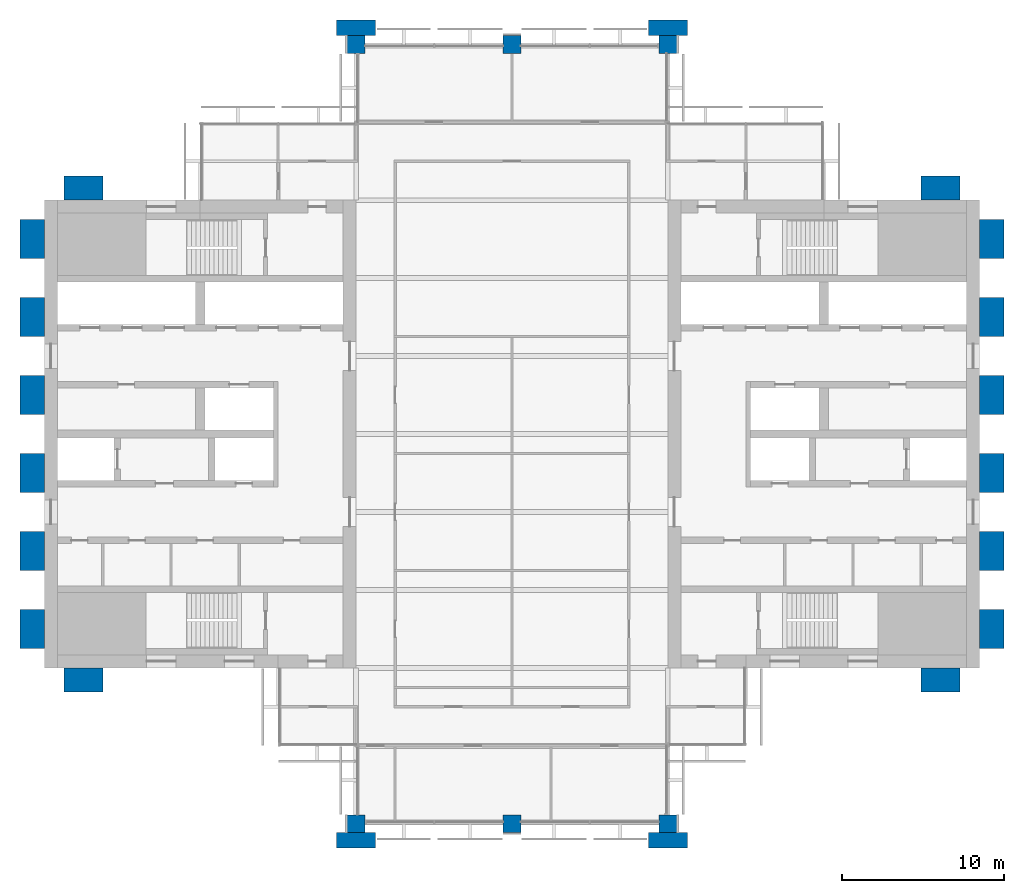
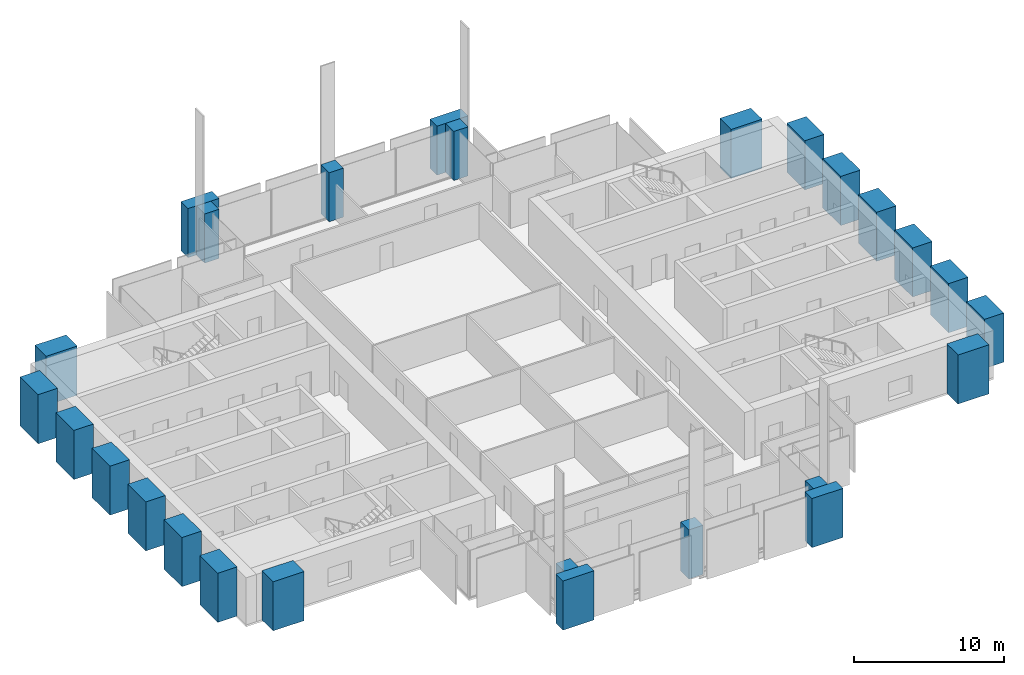
# One storey, part 1 of 13: 26 columns.
"""IFC4 building model written with IfcOpenShell, lengths in metres."""

from ifc_helpers import new_model, si_unit, direction, frame, origin, origin_2d, place, context, subcontext, project, spatial, rectangle, extrude, material, material_profile, profile_set, type_object, element, save


model = new_model("IFC4")

# Units and contexts
model_context = context("Model", 3, precision=1e-05, world=origin(), true_north=direction((0.0, 1.0)))
body_context = subcontext(model_context, "Body", "Model", "MODEL_VIEW")
ifc_project = project(units=[si_unit("LENGTHUNIT", "METRE"), si_unit("AREAUNIT", "SQUARE_METRE"), si_unit("VOLUMEUNIT", "CUBIC_METRE"), si_unit("PLANEANGLEUNIT", "RADIAN"), si_unit("MASSUNIT", "GRAM", prefix="KILO")], contexts=[model_context])

# Site, building, storey
site_placement = place(None, origin())
site = spatial("IfcSite", under=ifc_project, at=site_placement, CompositionType="ELEMENT")
building_placement = place(site_placement, origin())
building = spatial("IfcBuilding", under=site, at=building_placement, Name="Baori Bourse Tower", CompositionType="ELEMENT")
storey_placement = place(building_placement, frame((0.0, 0.0, 237.199951171875)))
storey = spatial("IfcBuildingStorey", under=building, at=storey_placement, Name="L52", CompositionType="ELEMENT", Elevation=237.199951171875)

# Columns
ifc_material_1 = material(Name="Concrete f'c 60 MPa", Category="concrete")
ifc_material_profile_1 = material_profile(ifc_material_1, rectangle(XDim=2.39990234375, YDim=0.949951171875, at=origin_2d()), Name="RC 2400x950")
ifc_profile_set_1 = profile_set([ifc_material_profile_1], Name="Concrete f'c 60 MPa")
column_type_1 = type_object("IfcColumnType", Name="FN3 Brick pilaster 2400x950", PredefinedType="PILASTER", material=ifc_profile_set_1)
for number, where, z_axis, x_axis, name in (
    (1, (19.199951171875, -1.02490234375, 0.0), (0.0, 0.0, 1.0), (1.0, 0.0, 0.0), "Brick pilaster L52 17"),
    (2, (38.39990234375, -1.02490234375, 0.0), (0.0, 0.0, 1.0), (1.0, 0.0, 0.0), "Brick pilaster L52 18"),
    (3, (19.199951171875, 49.02490234375, 0.0), (0.0, 0.0, 1.0), (1.0, 0.0, 0.0), "Brick pilaster L52 19"),
    (4, (38.39990234375, 49.02490234375, 0.0), (0.0, 0.0, 1.0), (1.0, 0.0, 0.0), "Brick pilaster L52 20"),
):
    element("IfcColumn", number, at=place(storey_placement, frame(where, z_axis=z_axis, x_axis=x_axis)), inside=storey, type_object=column_type_1, Name=name, PredefinedType="PILASTER", context=body_context, shape_type="SweptSolid", body=[
        extrude(rectangle(XDim=2.39990234375, YDim=0.949951171875, at=origin_2d()), origin(), (0.0, 0.0, 1.0), 4.0),
    ])
ifc_material_2 = material(Name="Concrete f'c 60 MPa", Category="concrete")
ifc_material_profile_2 = material_profile(ifc_material_2, rectangle(XDim=2.39990234375, YDim=1.5, at=origin_2d()), Name="RC 2400x1500")
ifc_profile_set_2 = profile_set([ifc_material_profile_2], Name="Concrete f'c 60 MPa")
column_type_2 = type_object("IfcColumnType", Name="FN4 Brick flank pilaster 2400x1500", PredefinedType="PILASTER", material=ifc_profile_set_2)
for number, where, z_axis, x_axis, name in (
    (5, (55.199951171875, 8.85009765625, 0.0), (0.0, 0.0, 1.0), (1.0, 0.0, 0.0), "Brick pilaster L52 1"),
    (6, (58.35009765625, 12.0, 0.0), (0.0, 0.0, 1.0), (0.0, 1.0, 0.0), "Brick pilaster L52 2"),
    (7, (58.35009765625, 16.800048828125, 0.0), (0.0, 0.0, 1.0), (0.0, 1.0, 0.0), "Brick pilaster L52 3"),
    (8, (58.35009765625, 21.60009765625, 0.0), (0.0, 0.0, 1.0), (0.0, 1.0, 0.0), "Brick pilaster L52 4"),
    (9, (58.35009765625, 26.39990234375, 0.0), (0.0, 0.0, 1.0), (0.0, 1.0, 0.0), "Brick pilaster L52 5"),
    (10, (58.35009765625, 31.199951171875, 0.0), (0.0, 0.0, 1.0), (0.0, 1.0, 0.0), "Brick pilaster L52 6"),
    (11, (58.35009765625, 36.0, 0.0), (0.0, 0.0, 1.0), (0.0, 1.0, 0.0), "Brick pilaster L52 7"),
    (12, (55.199951171875, 39.14990234375, 0.0), (0.0, 0.0, 1.0), (1.0, 0.0, 0.0), "Brick pilaster L52 8"),
    (13, (2.39990234375, 39.14990234375, 0.0), (0.0, 0.0, 1.0), (1.0, 0.0, 0.0), "Brick pilaster L52 9"),
    (14, (-0.75, 12.0, 0.0), (0.0, 0.0, 1.0), (0.0, 1.0, 0.0), "Brick pilaster L52 10"),
    (15, (-0.75, 16.800048828125, 0.0), (0.0, 0.0, 1.0), (0.0, 1.0, 0.0), "Brick pilaster L52 11"),
    (16, (-0.75, 21.60009765625, 0.0), (0.0, 0.0, 1.0), (0.0, 1.0, 0.0), "Brick pilaster L52 12"),
    (17, (-0.75, 26.39990234375, 0.0), (0.0, 0.0, 1.0), (0.0, 1.0, 0.0), "Brick pilaster L52 13"),
    (18, (-0.75, 31.199951171875, 0.0), (0.0, 0.0, 1.0), (0.0, 1.0, 0.0), "Brick pilaster L52 14"),
    (19, (-0.75, 36.0, 0.0), (0.0, 0.0, 1.0), (0.0, 1.0, 0.0), "Brick pilaster L52 15"),
    (20, (2.39990234375, 8.85009765625, 0.0), (0.0, 0.0, 1.0), (1.0, 0.0, 0.0), "Brick pilaster L52 16"),
):
    element("IfcColumn", number, at=place(storey_placement, frame(where, z_axis=z_axis, x_axis=x_axis)), inside=storey, type_object=column_type_2, Name=name, PredefinedType="PILASTER", context=body_context, shape_type="SweptSolid", body=[
        extrude(rectangle(XDim=2.39990234375, YDim=1.5, at=origin_2d()), origin(), (0.0, 0.0, 1.0), 4.0),
    ])
ifc_material_3 = material(Name="Concrete f'c 50 MPa", Category="concrete")
ifc_material_profile_3 = material_profile(ifc_material_3, rectangle(XDim=1.10009765625, YDim=1.10009765625, at=origin_2d()), Name="RC 1100x1100")
ifc_profile_set_3 = profile_set([ifc_material_profile_3], Name="Concrete f'c 50 MPa")
column_type_3 = type_object("IfcColumnType", Name="Perimeter column 50 RC 1100x1100", PredefinedType="COLUMN", material=ifc_profile_set_3)
for number, where, z_axis, x_axis, name in (
    (21, (19.199951171875, 0.0, 0.0), (0.0, 0.0, 1.0), (1.0, 0.0, 0.0), "Perimeter column L52"),
    (22, (28.800048828125, 0.0, 0.0), (0.0, 0.0, 1.0), (1.0, 0.0, 0.0), "Perimeter column L52"),
    (23, (38.39990234375, 0.0, 0.0), (0.0, 0.0, 1.0), (1.0, 0.0, 0.0), "Perimeter column L52"),
    (24, (19.199951171875, 48.0, 0.0), (0.0, 0.0, 1.0), (1.0, 0.0, 0.0), "Perimeter column L52"),
    (25, (28.800048828125, 48.0, 0.0), (0.0, 0.0, 1.0), (1.0, 0.0, 0.0), "Perimeter column L52"),
    (26, (38.39990234375, 48.0, 0.0), (0.0, 0.0, 1.0), (1.0, 0.0, 0.0), "Perimeter column L52"),
):
    element("IfcColumn", number, at=place(storey_placement, frame(where, z_axis=z_axis, x_axis=x_axis)), inside=storey, type_object=column_type_3, Name=name, PredefinedType="COLUMN", context=body_context, shape_type="SweptSolid", body=[
        extrude(rectangle(XDim=1.10009765625, YDim=1.10009765625, at=origin_2d()), origin(), (0.0, 0.0, 1.0), 4.0),
    ])

save(model, "model.ifc")
